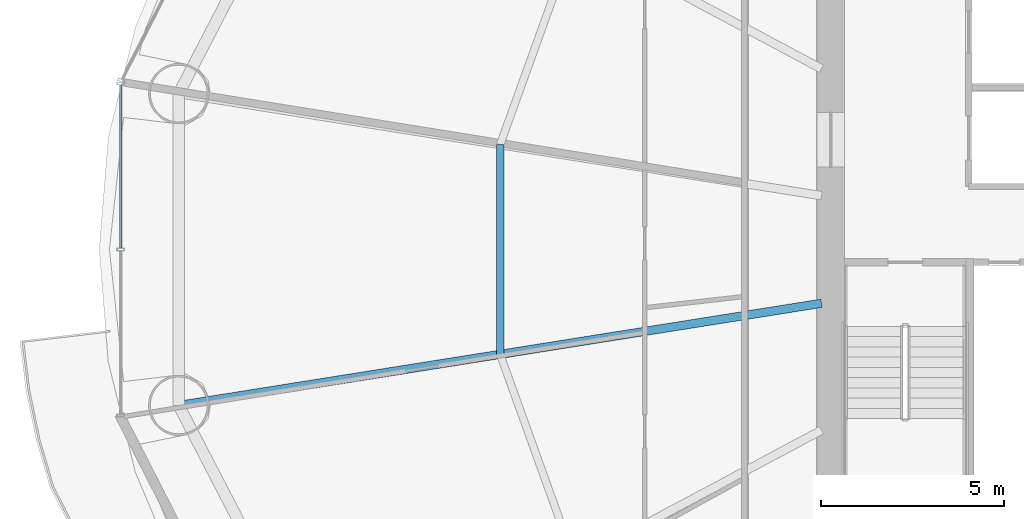
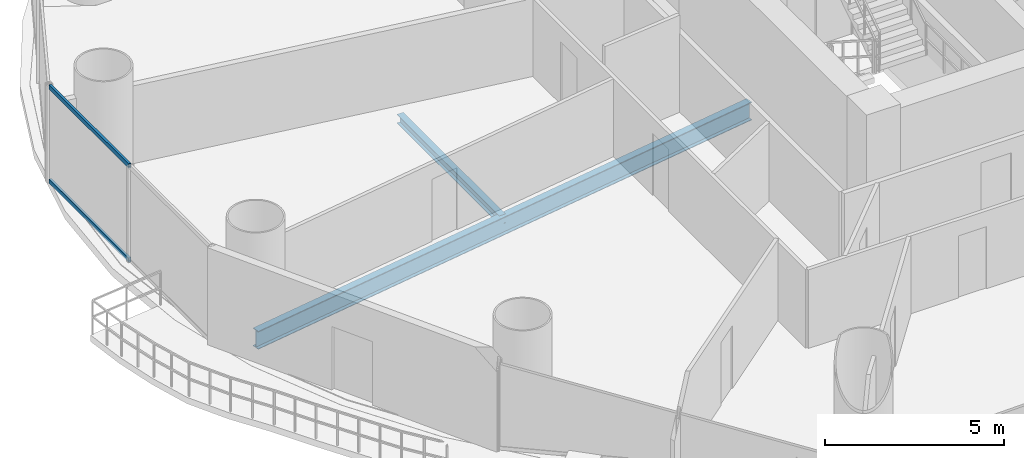
# One storey, part 7 of 30: 2 beams, 2 members, 1 element without a shape of its own.
"""IFC4 building model written with IfcOpenShell, lengths in metres."""

import ifcopenshell
import ifcopenshell.guid

model = None  # the IFC model being written
_history = None  # IfcOwnerHistory: only IFC2X3 demands one
_inside = {}  # id of a spatial element -> (the spatial element, [elements in it])
_under = {}  # id of a project, library or spatial element -> (it, [spatial elements below it])
_declared = {}  # id of a project -> (the project, [libraries it declares])
_typed = {}  # id of a type object -> (the type object, [elements of that type])
_made_of = {}  # id of a material, layer set ... -> (it, [elements and type objects made of it])


def new_model(schema):
    """Start an empty IFC model of exactly this schema.

    Asked for "IFC4X3", IfcOpenShell would pick the latest addendum, in which some entities
    have other attributes; the version numbers below select the first issue.
    IFC2X3 requires an IfcOwnerHistory on every rooted entity: one is made here for all.
    """
    global model, _history
    if schema == "IFC4X3":
        model = ifcopenshell.file(schema_version=(4, 3, 0, 0))
    else:
        model = ifcopenshell.file(schema=schema)
    _inside.clear()
    _under.clear()
    _declared.clear()
    _typed.clear()
    _made_of.clear()
    _history = None
    if model.schema == "IFC2X3":
        org = make("IfcOrganization", Name="unknown")
        user = make(
            "IfcPersonAndOrganization",
            ThePerson=make("IfcPerson", FamilyName="unknown"),
            TheOrganization=org,
        )
        app = make(
            "IfcApplication",
            ApplicationDeveloper=org,
            Version="unknown",
            ApplicationFullName="unknown",
            ApplicationIdentifier="unknown",
        )
        _history = make(
            "IfcOwnerHistory",
            OwningUser=user,
            OwningApplication=app,
            ChangeAction="ADDED",
            CreationDate=0,
        )
    return model


def make(cls, **values):
    """One entity of the class cls with the attributes given. An attribute that is None is left unset."""
    return model.create_entity(
        cls, **{name: value for name, value in values.items() if value is not None}
    )


def rooted(cls, **values):
    """An entity with a GlobalId (a new one), such as an element, a storey or a relation."""
    return make(cls, GlobalId=ifcopenshell.guid.new(), OwnerHistory=_history, **values)


def si_unit(unit_type, name, prefix=None):
    """IfcSIUnit, for example si_unit("LENGTHUNIT", "METRE", prefix="MILLI")."""
    return make("IfcSIUnit", UnitType=unit_type, Prefix=prefix, Name=name)


def assignment(units):
    """IfcUnitAssignment: the units of a project."""
    return None if units is None else make("IfcUnitAssignment", Units=units)


def point(xyz):
    """IfcCartesianPoint."""
    return None if xyz is None else make("IfcCartesianPoint", Coordinates=xyz)


def direction(xyz):
    """IfcDirection."""
    return None if xyz is None else make("IfcDirection", DirectionRatios=xyz)


def frame(location, z_axis=None, x_axis=None):
    """IfcAxis2Placement3D, a coordinate frame: its origin and axes. An axis left out is left unset."""
    return make(
        "IfcAxis2Placement3D",
        Location=point(location),
        Axis=direction(z_axis),
        RefDirection=direction(x_axis),
    )


def frame_2d(location, x_axis=None):
    """IfcAxis2Placement2D, a coordinate frame in the plane: its origin and x axis."""
    return make(
        "IfcAxis2Placement2D", Location=point(location), RefDirection=direction(x_axis)
    )


def origin():
    """The frame at (0, 0, 0) with its axes left unset."""
    return frame((0.0, 0.0, 0.0))


def origin_2d():
    """The frame at (0, 0) in the plane with its x axis left unset."""
    return frame_2d((0.0, 0.0))


def place(relative_to, where):
    """IfcLocalPlacement: puts the frame where relative to a parent placement (None: the world)."""
    return make(
        "IfcLocalPlacement", PlacementRelTo=relative_to, RelativePlacement=where
    )


def context(
    kind, dimensions, precision=None, world=None, true_north=None, identifier=None
):
    """IfcGeometricRepresentationContext, for example the 3D "Model" context."""
    return make(
        "IfcGeometricRepresentationContext",
        ContextIdentifier=identifier,
        ContextType=kind,
        CoordinateSpaceDimension=dimensions,
        Precision=precision,
        WorldCoordinateSystem=world,
        TrueNorth=true_north,
    )


def subcontext(parent, identifier, kind, view, scale=None):
    """IfcGeometricRepresentationSubContext, for example "Body" below "Model"."""
    return make(
        "IfcGeometricRepresentationSubContext",
        ContextIdentifier=identifier,
        ContextType=kind,
        ParentContext=parent,
        TargetScale=scale,
        TargetView=view,
    )


def project(units=None, contexts=None):
    """IfcProject with its units and contexts."""
    return rooted(
        "IfcProject",
        Name="project",
        RepresentationContexts=contexts,
        UnitsInContext=assignment(units),
    )


def spatial(cls, under=None, at=None, **own):
    """A site, building, storey or space (cls), placed at a placement, below another one or the project."""
    s = rooted(cls, ObjectPlacement=at, **own)
    if under is not None:
        _under.setdefault(under.id(), (under, []))[1].append(s)
    return s


def profile(cls, at=None, kind="AREA", **sizes):
    """A parametric profile (cls). Its sizes go by their IFC names, for example OverallWidth=200.0."""
    return make(cls, ProfileType=kind, Position=at, **sizes)


def hollow_rectangle(**sizes):
    """IfcRectangleHollowProfileDef."""
    return profile("IfcRectangleHollowProfileDef", **sizes)


def i_section(**sizes):
    """IfcIShapeProfileDef."""
    return profile("IfcIShapeProfileDef", **sizes)


def extrude(swept, where, along, depth):
    """IfcExtrudedAreaSolid: the profile swept, set in the frame where, extruded along a direction by depth."""
    return make(
        "IfcExtrudedAreaSolid",
        SweptArea=swept,
        Position=where,
        ExtrudedDirection=direction(along),
        Depth=depth,
    )


def shape(context_of_items, identifier, shape_type, items):
    """IfcShapeRepresentation: the items that make up one representation, for example the "Body"."""
    return make(
        "IfcShapeRepresentation",
        ContextOfItems=context_of_items,
        RepresentationIdentifier=identifier,
        RepresentationType=shape_type,
        Items=items,
    )


def source(mapping_origin, context_of_items, identifier, shape_type, items):
    """IfcRepresentationMap: a shape defined once, which mapped items show again and again."""
    return make(
        "IfcRepresentationMap",
        MappingOrigin=mapping_origin,
        MappedRepresentation=shape(context_of_items, identifier, shape_type, items),
    )


def transform(
    local_origin,
    x_axis=None,
    y_axis=None,
    z_axis=None,
    scale=None,
    scale2=None,
    scale3=None,
    uniform=True,
):
    """IfcCartesianTransformationOperator3D, or its non-uniform kind. x_axis, y_axis, z_axis: its Axis1, 2, 3."""
    if uniform:
        return make(
            "IfcCartesianTransformationOperator3D",
            Axis1=direction(x_axis),
            Axis2=direction(y_axis),
            LocalOrigin=point(local_origin),
            Scale=scale,
            Axis3=direction(z_axis),
        )
    return make(
        "IfcCartesianTransformationOperator3DnonUniform",
        Axis1=direction(x_axis),
        Axis2=direction(y_axis),
        LocalOrigin=point(local_origin),
        Scale=scale,
        Axis3=direction(z_axis),
        Scale2=scale2,
        Scale3=scale3,
    )


def mapped(mapping_source, mapping_target):
    """IfcMappedItem: shows the shape of a source again, moved by a transform."""
    return make(
        "IfcMappedItem", MappingSource=mapping_source, MappingTarget=mapping_target
    )


def material(Name=None, Category=None):
    """IfcMaterial."""
    return make("IfcMaterial", Name=Name, Category=Category)


def material_profile(
    of_material, cross_section, Name=None, Category=None, Priority=None
):
    """IfcMaterialProfile: a cross section and its material."""
    return make(
        "IfcMaterialProfile",
        Name=Name,
        Material=of_material,
        Profile=cross_section,
        Priority=Priority,
        Category=Category,
    )


def profile_set(profiles, Name=None, composite=None):
    """IfcMaterialProfileSet."""
    return make(
        "IfcMaterialProfileSet",
        Name=Name,
        MaterialProfiles=profiles,
        CompositeProfile=composite,
    )


def made_of(thing, what):
    """Note that an element or type object is made of a material, layer set ...; save() writes the relation."""
    if what is not None:
        _made_of.setdefault(what.id(), (what, []))[1].append(thing)
    return thing


def type_object(cls, material=None, **own):
    """A type object (cls), such as IfcWallType, which elements share."""
    return made_of(rooted(cls, **own), material)


def element(
    cls,
    number,
    at=None,
    inside=None,
    cuts=None,
    type_object=None,
    material=None,
    context=None,
    identifier="Body",
    shape_type=None,
    held_by="IfcProductDefinitionShape",
    body=None,
    shapes=None,
    **own,
):
    """One element of the class cls, such as IfcWall. Its Tag is "e" and its number.

    at: its placement. inside: the storey or other place that contains it. cuts: it is an
    opening in that element (IfcRelVoidsElement). A single representation is given by context,
    identifier, shape_type and body (its items); several are given by shapes. held_by: the class
    of the entity that holds the representations. save() writes the other relations.
    """
    e = rooted(cls, Tag="e%d" % number, ObjectPlacement=at, **own)
    if body is not None:
        shapes = [shape(context, identifier, shape_type, body)]
    if shapes is not None:
        e.Representation = make(held_by, Representations=shapes)
    if inside is not None:
        _inside.setdefault(inside.id(), (inside, []))[1].append(e)
    if cuts is not None:
        rooted(
            "IfcRelVoidsElement", RelatingBuildingElement=cuts, RelatedOpeningElement=e
        )
    if type_object is not None:
        _typed.setdefault(type_object.id(), (type_object, []))[1].append(e)
    return made_of(e, material)


def aggregate(whole, parts):
    """IfcRelAggregates: a whole, such as a stair, and the parts it consists of."""
    return rooted("IfcRelAggregates", RelatingObject=whole, RelatedObjects=parts)


def save(model, path):
    """Write the relations noted so far, then the file.

    IfcRelAggregates (storeys below a building ...), IfcRelContainedInSpatialStructure (elements
    in a storey), IfcRelDefinesByType, IfcRelAssociatesMaterial and IfcRelDeclares: one each for
    every whole, place, type object, material and project.
    """
    for whole, parts in _under.values():
        aggregate(whole, parts)
    for where, things in _inside.values():
        rooted(
            "IfcRelContainedInSpatialStructure",
            RelatedElements=things,
            RelatingStructure=where,
        )
    for kind, things in _typed.values():
        rooted("IfcRelDefinesByType", RelatedObjects=things, RelatingType=kind)
    for what, things in _made_of.values():
        rooted("IfcRelAssociatesMaterial", RelatedObjects=things, RelatingMaterial=what)
    for by, libraries in _declared.values():
        rooted("IfcRelDeclares", RelatingContext=by, RelatedDefinitions=libraries)
    model.write(path)


model = new_model("IFC4")

# Units and contexts
model_context = context("Model", 3, precision=1e-05, world=origin(), true_north=direction((-0.2419218956, 0.970295726276)))
body_context = subcontext(model_context, "Body", "Model", "MODEL_VIEW")
ifc_project = project(units=[si_unit("LENGTHUNIT", "METRE"), si_unit("AREAUNIT", "SQUARE_METRE"), si_unit("VOLUMEUNIT", "CUBIC_METRE"), si_unit("PLANEANGLEUNIT", "RADIAN"), si_unit("MASSUNIT", "GRAM", prefix="KILO")], contexts=[model_context])

# Site, building, storey
site_placement = place(None, origin())
site = spatial("IfcSite", under=ifc_project, at=site_placement, CompositionType="ELEMENT")
building_placement = place(site_placement, origin())
building = spatial("IfcBuilding", under=site, at=building_placement, Name="Cobrevalo Terracotta Tower", CompositionType="ELEMENT")
storey_placement = place(building_placement, frame((0.0, 0.0, 27.60009765625)))
storey = spatial("IfcBuildingStorey", under=building, at=storey_placement, Name="L06", CompositionType="ELEMENT", Elevation=27.60009765625)

# Beams
ifc_material_1 = material(Name="Steel S355", Category="steel")
ifc_material_profile_1 = material_profile(ifc_material_1, i_section(OverallWidth=0.22998046875, OverallDepth=0.616943359375, WebThickness=0.01318359375, FlangeThickness=0.022216796875, at=origin_2d()), Name="W 610x140")
ifc_profile_set_1 = profile_set([ifc_material_profile_1], Name="Steel S355")
beam_type_1 = type_object("IfcBeamType", Name="Structural Beam W 610x140 (Steel S355)", PredefinedType="BEAM", material=ifc_profile_set_1)
beam_1_placement = place(storey_placement, frame((11.175537109375, 22.537353515625, -0.588623046875), z_axis=(0.987607924622, 0.156941349628, 0.0), x_axis=(-0.156941349628, 0.987607924622, 0.0)))
element("IfcBeam", 1, at=beam_1_placement, inside=storey, type_object=beam_type_1, Name="L06 radial floor girder 09", PredefinedType="BEAM", context=body_context, shape_type="SweptSolid", body=[
    extrude(i_section(OverallWidth=0.22998046875, OverallDepth=0.616943359375, WebThickness=0.01318359375, FlangeThickness=0.022216796875, at=origin_2d()), origin(), (0.0, 0.0, 1.0), 17.7900390625),
])
ifc_material_profile_2 = material_profile(ifc_material_1, i_section(OverallWidth=0.2041015625, OverallDepth=0.305908203125, WebThickness=0.008544921875, FlangeThickness=0.0146484375, at=origin_2d()), Name="W 310x67")
ifc_profile_set_2 = profile_set([ifc_material_profile_2], Name="Steel S355")
beam_type_2 = type_object("IfcBeamType", Name="Structural Joist W 310x67 (Steel S355)", PredefinedType="JOIST", material=ifc_profile_set_2)
beam_2_placement = place(storey_placement, frame((19.960205078125, 29.666748046875, -0.43310546875), z_axis=(0.0, -1.0, 0.0), x_axis=(1.0, 0.0, 0.0)))
element("IfcBeam", 2, at=beam_2_placement, inside=storey, type_object=beam_type_2, Name="L06 circumferential secondary floor joist 08", PredefinedType="JOIST", context=body_context, shape_type="SweptSolid", body=[
    extrude(i_section(OverallWidth=0.2041015625, OverallDepth=0.305908203125, WebThickness=0.008544921875, FlangeThickness=0.0146484375, at=origin_2d()), origin(), (0.0, 0.0, 1.0), 5.7333984375),
])

# Curtain wall, members
ifc_material_2 = material(Name="Anodized aluminium", Category="aluminium")
curtain_wall_type = type_object("IfcCurtainWallType", Name="Lower-tower unitised acoustic low-E curtain wall CW-U1", PredefinedType="NOTDEFINED", material=ifc_material_2)
curtain_wall_placement = place(storey_placement, origin())
curtain_wall = element("IfcCurtainWall", 3, at=curtain_wall_placement, inside=storey, type_object=curtain_wall_type, Name="L06 curtain wall CW-L06-S08", PredefinedType="NOTDEFINED")
ifc_material_profile_3 = material_profile(ifc_material_2, hollow_rectangle(XDim=0.074951171875, YDim=0.14990234375, WallThickness=0.00439453125, at=origin_2d()), Name="CWT 75x150")
ifc_profile_set_3 = profile_set([ifc_material_profile_3], Name="Anodized aluminium")
member_type = type_object("IfcMemberType", Name="Tower unitised aluminium transom 75x150", PredefinedType="USERDEFINED", material=ifc_profile_set_3)
shared_shape = source(origin(), body_context, "Body", "SweptSolid", [
    extrude(hollow_rectangle(XDim=0.074951171875, YDim=0.14990234375, WallThickness=0.00439453125, at=origin_2d()), origin(), (0.0, 0.0, 1.0), 4.458740234375),
])
member_1_placement = place(storey_placement, frame((9.586669921875, 31.298828125, 0.0498046875), z_axis=(0.0, -1.0, 0.0), x_axis=(1.0, 0.0, 0.0)))
member_1 = element("IfcMember", 4, at=member_1_placement, type_object=member_type, Name="CW-L06-S08 transom B01-T1", ObjectType="TRANSOM", PredefinedType="USERDEFINED", context=body_context, shape_type="MappedRepresentation", body=[
    mapped(shared_shape, transform((0.0, 0.0, 0.0), scale=1.0)),
])
member_2_placement = place(storey_placement, frame((9.586669921875, 31.298828125, 3.27001953125), z_axis=(0.0, -1.0, 0.0), x_axis=(1.0, 0.0, 0.0)))
member_2 = element("IfcMember", 5, at=member_2_placement, type_object=member_type, Name="CW-L06-S08 transom B01-T2", ObjectType="TRANSOM", PredefinedType="USERDEFINED", context=body_context, shape_type="MappedRepresentation", body=[
    mapped(shared_shape, transform((0.0, 0.0, 0.0), scale=1.0)),
])
aggregate(curtain_wall, [member_1, member_2])

save(model, "model.ifc")
